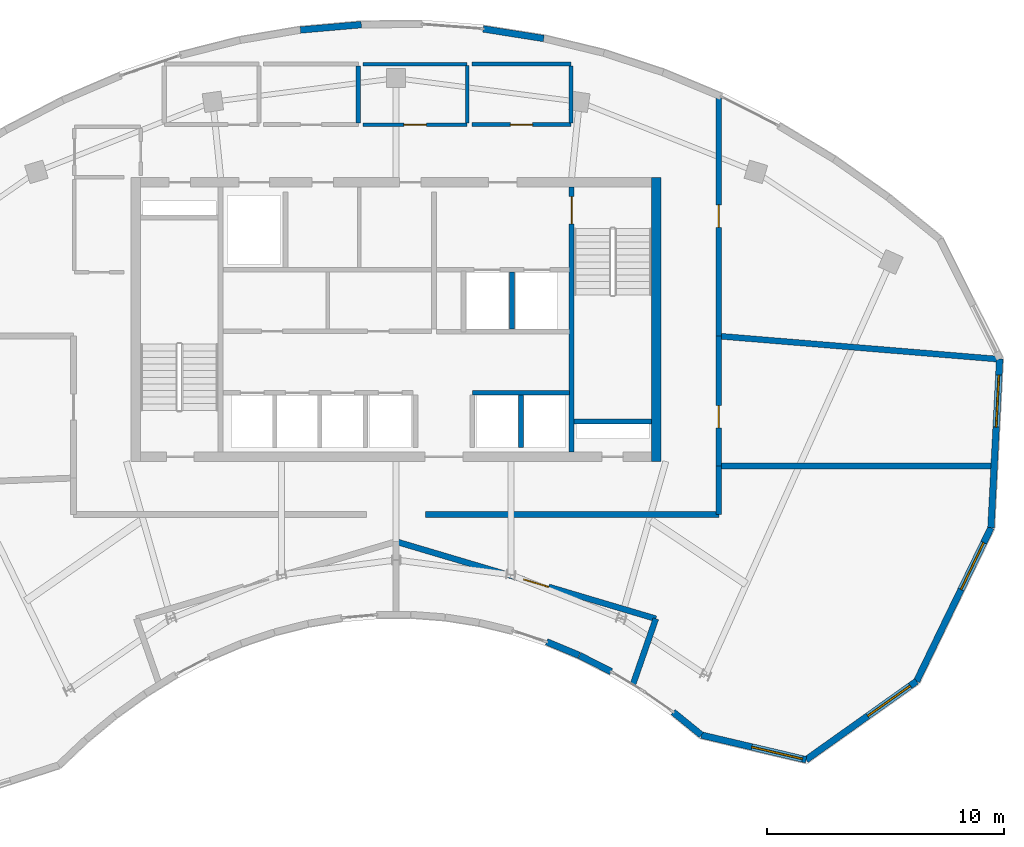
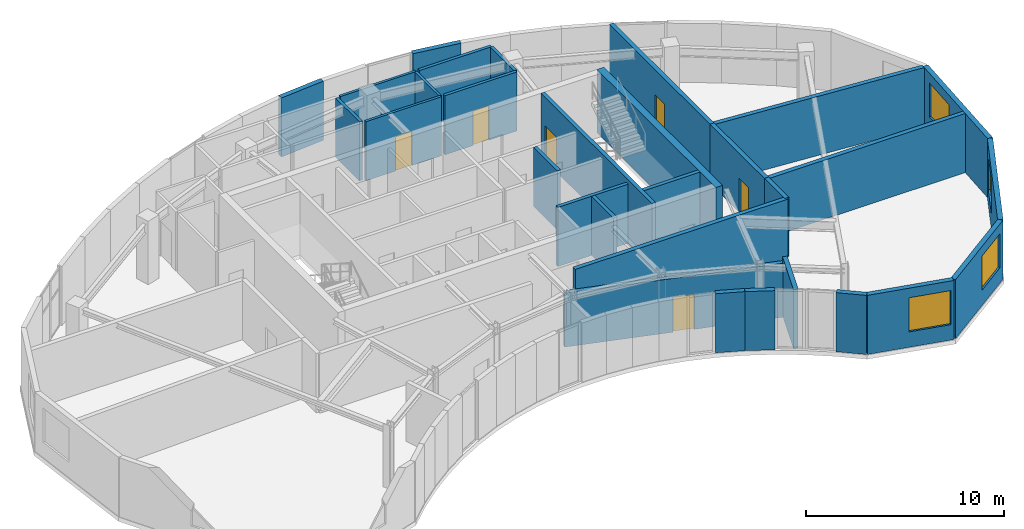
# One storey, part 7 of 9: 30 walls, 6 doors, 4 windows, 10 openings.
"""IFC4 building model written with IfcOpenShell, lengths in metres."""

from ifc_helpers import new_model, si_unit, direction, frame, frame_2d, origin, place, context, subcontext, project, spatial, rectangle, extrude, source, transform, mapped, material, layer, layer_set, type_object, type_shapes, element, fill, save


model = new_model("IFC4")

# Units and contexts
model_context = context("Model", 3, precision=1e-05, world=origin(), true_north=direction((0.0, 1.0)))
body_context = subcontext(model_context, "Body", "Model", "MODEL_VIEW")
ifc_project = project(units=[si_unit("LENGTHUNIT", "METRE"), si_unit("AREAUNIT", "SQUARE_METRE"), si_unit("VOLUMEUNIT", "CUBIC_METRE"), si_unit("PLANEANGLEUNIT", "RADIAN"), si_unit("MASSUNIT", "GRAM", prefix="KILO")], contexts=[model_context])

# Site, building, storey
site_placement = place(None, origin())
site = spatial("IfcSite", under=ifc_project, at=site_placement, CompositionType="ELEMENT")
building_placement = place(site_placement, origin())
building = spatial("IfcBuilding", under=site, at=building_placement, Name="Breltana Convention Tower", CompositionType="ELEMENT")
storey_placement = place(building_placement, frame((0.0, 0.0, 295.199951171875)))
storey = spatial("IfcBuildingStorey", under=building, at=storey_placement, Name="L72", CompositionType="ELEMENT", Elevation=295.199951171875)

# Walls
ifc_material_1 = material(Name="Concrete C50/60", Category="concrete")
ifc_layer_1 = layer(ifc_material_1, 0.39990234375, Name="Concrete C50/60")
ifc_layer_set_1 = layer_set([ifc_layer_1], Name="Concrete C50/60")
wall_type_1 = type_object("IfcWallType", Name="SW-CORE-400", PredefinedType="SHEAR", material=ifc_layer_set_1)
shared_shape_1 = source(origin(), body_context, "Body", "SweptSolid", [
    extrude(rectangle(XDim=3.27001953125, YDim=0.219970703125, at=frame_2d((1.635009765625, 0.0))), origin(), (0.0, 0.0, 1.0), 3.900146484375),
])
wall_1_placement = place(storey_placement, frame((55.530029296875, 61.889892578125, 0.0), z_axis=(0.0, 0.0, 1.0), x_axis=(1.0, 0.0, 0.0)))
element("IfcWall", 1, at=wall_1_placement, inside=storey, type_object=wall_type_1, Name="L72 ST-2 Stairwell South Bearing Wall", PredefinedType="SHEAR", context=body_context, shape_type="MappedRepresentation", body=[
    mapped(shared_shape_1, transform((0.0, 0.0, 0.0), scale=1.0)),
])
shared_shape_2 = source(origin(), body_context, "Body", "SweptSolid", [
    extrude(rectangle(XDim=12.0, YDim=0.39990234375, at=frame_2d((6.0, 0.0))), origin(), (0.0, 0.0, 1.0), 3.900146484375),
])
wall_2_placement = place(storey_placement, frame((59.0, 60.199951171875, 0.0), z_axis=(0.0, 0.0, 1.0), x_axis=(0.0, 1.0, 0.0)))
element("IfcWall", 2, at=wall_2_placement, inside=storey, type_object=wall_type_1, Name="L72 East Core Shear Wall", PredefinedType="SHEAR", context=body_context, shape_type="MappedRepresentation", body=[
    mapped(shared_shape_2, transform((0.0, 0.0, 0.0), scale=1.0)),
])

# Wall, opening, door
shared_shape_3 = source(origin(), body_context, "Body", "SweptSolid", [
    extrude(rectangle(XDim=11.199951171875, YDim=0.219970703125, at=frame_2d((5.60009765625, 0.0))), origin(), (0.0, 0.0, 1.0), 3.900146484375),
])
wall_3_placement = place(storey_placement, frame((55.419921875, 60.60009765625, 0.0), z_axis=(0.0, 0.0, 1.0), x_axis=(0.0, 1.0, 0.0)))
wall_3 = element("IfcWall", 3, at=wall_3_placement, inside=storey, type_object=wall_type_1, Name="L72 Core East Stair Spine Wall", PredefinedType="SHEAR", context=body_context, shape_type="MappedRepresentation", body=[
    mapped(shared_shape_3, transform((0.0, 0.0, 0.0), scale=1.0)),
])
opening_1_placement = place(wall_3_placement, frame((9.64501953125, 0.0, 0.0)))
opening_1 = element("IfcOpeningElement", 4, at=opening_1_placement, cuts=wall_3, Name="Opening D-11", PredefinedType="OPENING", context=body_context, shape_type="SweptSolid", body=[
    extrude(rectangle(XDim=1.14990234375, YDim=2.14990234375, at=frame_2d((0.574951171875, 1.074951171875))), frame((0.0, 0.1201171875, 0.0), z_axis=(0.0, -1.0, 0.0), x_axis=(1.0, 0.0, 0.0)), (0.0, 0.0, 1.0), 0.239990234375),
])
ifc_material_2 = material(Name="Steel Stair Exit Door", Category="steel")
door_type_1 = type_object("IfcDoorType", Name="DR-FD120-1150", OperationType="NOTDEFINED", PredefinedType="DOOR", material=ifc_material_2)
shared_shape_4 = source(origin(), body_context, "Body", "SweptSolid", [
    extrude(rectangle(XDim=1.14990234375, YDim=2.14990234375, at=frame_2d((0.574951171875, 1.074951171875))), frame((0.0, 0.02490234375, 0.0), z_axis=(0.0, -1.0, 0.0), x_axis=(1.0, 0.0, 0.0)), (0.0, 0.0, 1.0), 0.050048828125),
])
type_shapes(door_type_1, [shared_shape_4])
door_1_placement = place(opening_1_placement, origin())
door_1 = element("IfcDoor", 5, at=door_1_placement, inside=storey, type_object=door_type_1, Name="L72 interior door D-L72-ST2", OperationType="SINGLE_SWING_LEFT", OverallHeight=2.14990234375, OverallWidth=1.14990234375, PredefinedType="DOOR", context=body_context, shape_type="MappedRepresentation", body=[
    mapped(shared_shape_4, transform((0.0, 0.0, 0.0), scale=1.0)),
])
fill(opening_1, door_1)

# Wall, opening, window
ifc_material_3 = material(Name="Limestone Buff Insulated Wall", Category="masonry")
ifc_layer_2 = layer(ifc_material_3, 0.280029296875, Name="Limestone Buff Insulated Wall")
ifc_layer_set_2 = layer_set([ifc_layer_2], Name="Limestone Buff Insulated Wall")
wall_type_2 = type_object("IfcWallType", Name="WL-EXT-NOSE-280", PredefinedType="SOLIDWALL", material=ifc_layer_set_2)
shared_shape_5 = source(origin(), body_context, "Body", "SweptSolid", [
    extrude(rectangle(XDim=7.151123046875, YDim=0.280029296875, at=frame_2d((3.57568359375, 0.0))), origin(), (0.0, 0.0, 1.0), 3.64013671875),
])
wall_4_placement = place(storey_placement, frame((73.516357421875, 64.540283203125, 0.0), z_axis=(0.0, 0.0, 1.0), x_axis=(-0.051449614265, -0.998675591567, 0.0)))
wall_4 = element("IfcWall", 6, at=wall_4_placement, inside=storey, type_object=wall_type_2, Name="L72 curved limestone nose wall E2", PredefinedType="SOLIDWALL", context=body_context, shape_type="MappedRepresentation", body=[
    mapped(shared_shape_5, transform((0.0, 0.0, 0.0), scale=1.0)),
])
opening_2_placement = place(wall_4_placement, frame((0.687744140625, 0.0, 0.949951171875)))
opening_2 = element("IfcOpeningElement", 7, at=opening_2_placement, cuts=wall_4, Name="Opening W-03", PredefinedType="OPENING", context=body_context, shape_type="SweptSolid", body=[
    extrude(rectangle(XDim=2.199951171875, YDim=2.10009765625, at=frame_2d((1.10009765625, 1.050048828125))), frame((0.0, 0.14990234375, 0.0), z_axis=(0.0, -1.0, 0.0), x_axis=(1.0, 0.0, 0.0)), (0.0, 0.0, 1.0), 0.300048828125),
])
ifc_material_4 = material(Name="Glass Low-E Insulated Window", Category="glass")
window_type = type_object("IfcWindowType", Name="WN-NOSE-2200X2100", PartitioningType="TRIPLE_PANEL_VERTICAL", PredefinedType="WINDOW", material=ifc_material_4)
shared_shape_6 = source(origin(), body_context, "Body", "SweptSolid", [
    extrude(rectangle(XDim=2.199951171875, YDim=2.10009765625, at=frame_2d((1.10009765625, 1.050048828125))), frame((0.0, 0.030029296875, 0.0), z_axis=(0.0, -1.0, 0.0), x_axis=(1.0, 0.0, 0.0)), (0.0, 0.0, 1.0), 0.06005859375),
])
type_shapes(window_type, [shared_shape_6])
window_1_placement = place(opening_2_placement, origin())
window_1 = element("IfcWindow", 8, at=window_1_placement, inside=storey, type_object=window_type, Name="L72 nose window E2", OverallHeight=2.10009765625, OverallWidth=2.199951171875, PartitioningType="TRIPLE_PANEL_VERTICAL", PredefinedType="WINDOW", context=body_context, shape_type="MappedRepresentation", body=[
    mapped(shared_shape_6, transform((0.0, 0.0, 0.0), scale=1.0)),
])
fill(opening_2, window_1)

shared_shape_7 = source(origin(), body_context, "Body", "SweptSolid", [
    extrude(rectangle(XDim=7.21142578125, YDim=0.280029296875, at=frame_2d((3.605712890625, 0.0))), origin(), (0.0, 0.0, 1.0), 3.64013671875),
])
wall_5_placement = place(storey_placement, frame((73.1484375, 57.398681640625, 0.0), z_axis=(0.0, 0.0, 1.0), x_axis=(-0.436088263006, -0.899903898685, 0.0)))
wall_5 = element("IfcWall", 9, at=wall_5_placement, inside=storey, type_object=wall_type_2, Name="L72 curved limestone nose wall E3", PredefinedType="SOLIDWALL", context=body_context, shape_type="MappedRepresentation", body=[
    mapped(shared_shape_7, transform((0.0, 0.0, 0.0), scale=1.0)),
])
opening_3_placement = place(wall_5_placement, frame((0.702880859375, 0.0, 0.949951171875)))
opening_3 = element("IfcOpeningElement", 10, at=opening_3_placement, cuts=wall_5, Name="Opening W-03", PredefinedType="OPENING", context=body_context, shape_type="SweptSolid", body=[
    extrude(rectangle(XDim=2.199951171875, YDim=2.10009765625, at=frame_2d((1.10009765625, 1.050048828125))), frame((0.0, 0.14990234375, 0.0), z_axis=(0.0, -1.0, 0.0), x_axis=(1.0, 0.0, 0.0)), (0.0, 0.0, 1.0), 0.300048828125),
])
window_2_placement = place(opening_3_placement, origin())
window_2 = element("IfcWindow", 11, at=window_2_placement, inside=storey, type_object=window_type, Name="L72 nose window E3", OverallHeight=2.10009765625, OverallWidth=2.199951171875, PartitioningType="TRIPLE_PANEL_VERTICAL", PredefinedType="WINDOW", context=body_context, shape_type="MappedRepresentation", body=[
    mapped(shared_shape_6, transform((0.0, 0.0, 0.0), scale=1.0)),
])
fill(opening_3, window_2)

shared_shape_8 = source(origin(), body_context, "Body", "SweptSolid", [
    extrude(rectangle(XDim=5.730712890625, YDim=0.280029296875, at=frame_2d((2.865234375, 0.0))), origin(), (0.0, 0.0, 1.0), 3.64013671875),
])
wall_6_placement = place(storey_placement, frame((70.003662109375, 50.9091796875, 0.0), z_axis=(0.0, 0.0, 1.0), x_axis=(-0.815021045908, -0.579431354629, 0.0)))
wall_6 = element("IfcWall", 12, at=wall_6_placement, inside=storey, type_object=wall_type_2, Name="L72 curved limestone nose wall E4", PredefinedType="SOLIDWALL", context=body_context, shape_type="MappedRepresentation", body=[
    mapped(shared_shape_8, transform((0.0, 0.0, 0.0), scale=1.0)),
])
opening_4_placement = place(wall_6_placement, frame((0.332763671875, 0.0, 0.949951171875)))
opening_4 = element("IfcOpeningElement", 13, at=opening_4_placement, cuts=wall_6, Name="Opening W-03", PredefinedType="OPENING", context=body_context, shape_type="SweptSolid", body=[
    extrude(rectangle(XDim=2.199951171875, YDim=2.10009765625, at=frame_2d((1.10009765625, 1.050048828125))), frame((0.0, 0.14990234375, 0.0), z_axis=(0.0, -1.0, 0.0), x_axis=(1.0, 0.0, 0.0)), (0.0, 0.0, 1.0), 0.300048828125),
])
window_3_placement = place(opening_4_placement, origin())
window_3 = element("IfcWindow", 14, at=window_3_placement, inside=storey, type_object=window_type, Name="L72 nose window E4", OverallHeight=2.10009765625, OverallWidth=2.199951171875, PartitioningType="TRIPLE_PANEL_VERTICAL", PredefinedType="WINDOW", context=body_context, shape_type="MappedRepresentation", body=[
    mapped(shared_shape_6, transform((0.0, 0.0, 0.0), scale=1.0)),
])
fill(opening_4, window_3)

shared_shape_9 = source(origin(), body_context, "Body", "SweptSolid", [
    extrude(rectangle(XDim=4.546630859375, YDim=0.280029296875, at=frame_2d((2.2734375, 0.0))), origin(), (0.0, 0.0, 1.0), 3.64013671875),
])
wall_7_placement = place(storey_placement, frame((65.3330078125, 47.588623046875, 0.0), z_axis=(0.0, 0.0, 1.0), x_axis=(-0.973332593516, 0.229398479505, 0.0)))
wall_7 = element("IfcWall", 15, at=wall_7_placement, inside=storey, type_object=wall_type_2, Name="L72 curved limestone nose wall E5", PredefinedType="SOLIDWALL", context=body_context, shape_type="MappedRepresentation", body=[
    mapped(shared_shape_9, transform((0.0, 0.0, 0.0), scale=1.0)),
])
opening_5_placement = place(wall_7_placement, frame((0.159912109375, 0.0, 0.949951171875)))
opening_5 = element("IfcOpeningElement", 16, at=opening_5_placement, cuts=wall_7, Name="Opening W-03", PredefinedType="OPENING", context=body_context, shape_type="SweptSolid", body=[
    extrude(rectangle(XDim=2.199951171875, YDim=2.10009765625, at=frame_2d((1.10009765625, 1.050048828125))), frame((0.0, 0.14990234375, 0.0), z_axis=(0.0, -1.0, 0.0), x_axis=(1.0, 0.0, 0.0)), (0.0, 0.0, 1.0), 0.300048828125),
])
window_4_placement = place(opening_5_placement, origin())
window_4 = element("IfcWindow", 17, at=window_4_placement, inside=storey, type_object=window_type, Name="L72 nose window E5", OverallHeight=2.10009765625, OverallWidth=2.199951171875, PartitioningType="TRIPLE_PANEL_VERTICAL", PredefinedType="WINDOW", context=body_context, shape_type="MappedRepresentation", body=[
    mapped(shared_shape_6, transform((0.0, 0.0, 0.0), scale=1.0)),
])
fill(opening_5, window_4)

# Walls
shared_shape_10 = source(origin(), body_context, "Body", "SweptSolid", [
    extrude(rectangle(XDim=1.54345703125, YDim=0.280029296875, at=frame_2d((0.771728515625, 0.0))), origin(), (0.0, 0.0, 1.0), 3.64013671875),
])
wall_8_placement = place(storey_placement, frame((60.90771484375, 48.631591796875, 0.0), z_axis=(0.0, 0.0, 1.0), x_axis=(-0.77582846857, 0.63094388606, 0.0)))
element("IfcWall", 18, at=wall_8_placement, inside=storey, type_object=wall_type_2, Name="L72 curved limestone nose wall E6", PredefinedType="SOLIDWALL", context=body_context, shape_type="MappedRepresentation", body=[
    mapped(shared_shape_10, transform((0.0, 0.0, 0.0), scale=1.0)),
])
shared_shape_11 = source(origin(), body_context, "Body", "SweptSolid", [
    extrude(rectangle(XDim=1.508544921875, YDim=0.280029296875, at=frame_2d((0.75439453125, 0.0))), origin(), (0.0, 0.0, 1.0), 3.64013671875),
])
wall_9_placement = place(storey_placement, frame((57.09375, 51.3154296875, 0.0), z_axis=(0.0, 0.0, 1.0), x_axis=(-0.89169189228, 0.452642871635, 0.0)))
element("IfcWall", 19, at=wall_9_placement, inside=storey, type_object=wall_type_2, Name="L72 curved limestone nose wall E7", PredefinedType="SOLIDWALL", context=body_context, shape_type="MappedRepresentation", body=[
    mapped(shared_shape_11, transform((0.0, 0.0, 0.0), scale=1.0)),
])
shared_shape_12 = source(origin(), body_context, "Body", "SweptSolid", [
    extrude(rectangle(XDim=1.48779296875, YDim=0.280029296875, at=frame_2d((0.743896484375, 0.0))), origin(), (0.0, 0.0, 1.0), 3.64013671875),
])
wall_10_placement = place(storey_placement, frame((55.736328125, 52.00390625, 0.0), z_axis=(0.0, 0.0, 1.0), x_axis=(-0.923261314935, 0.384172545017, 0.0)))
element("IfcWall", 20, at=wall_10_placement, inside=storey, type_object=wall_type_2, Name="L72 curved limestone nose wall E8", PredefinedType="SOLIDWALL", context=body_context, shape_type="MappedRepresentation", body=[
    mapped(shared_shape_12, transform((0.0, 0.0, 0.0), scale=1.0)),
])
shared_shape_13 = source(origin(), body_context, "Body", "SweptSolid", [
    extrude(rectangle(XDim=2.58251953125, YDim=0.280029296875, at=frame_2d((1.291259765625, 0.0))), origin(), (0.0, 0.0, 1.0), 3.64013671875),
])
wall_11_placement = place(storey_placement, frame((43.954345703125, 78.4423828125, 0.0), z_axis=(0.0, 0.0, 1.0), x_axis=(0.996168946569, 0.087449584851, 0.0)))
element("IfcWall", 21, at=wall_11_placement, inside=storey, type_object=wall_type_2, Name="L72 curved limestone nose wall E26", PredefinedType="SOLIDWALL", context=body_context, shape_type="MappedRepresentation", body=[
    mapped(shared_shape_13, transform((0.0, 0.0, 0.0), scale=1.0)),
])
shared_shape_14 = source(origin(), body_context, "Body", "SweptSolid", [
    extrude(rectangle(XDim=2.592529296875, YDim=0.280029296875, at=frame_2d((1.29638671875, 0.0))), origin(), (0.0, 0.0, 1.0), 3.64013671875),
])
wall_12_placement = place(storey_placement, frame((51.6787109375, 78.487548828125, 0.0), z_axis=(0.0, 0.0, 1.0), x_axis=(0.987661204406, -0.156605700126, 0.0)))
element("IfcWall", 22, at=wall_12_placement, inside=storey, type_object=wall_type_2, Name="L72 curved limestone nose wall E28", PredefinedType="SOLIDWALL", context=body_context, shape_type="MappedRepresentation", body=[
    mapped(shared_shape_14, transform((0.0, 0.0, 0.0), scale=1.0)),
])
ifc_material_5 = material(Name="Autoclaved Aerated Concrete Block", Category="concrete")
ifc_layer_3 = layer(ifc_material_5, 0.199951171875, Name="Autoclaved Aerated Concrete Block")
ifc_layer_set_3 = layer_set([ifc_layer_3], Name="Autoclaved Aerated Concrete Block")
wall_type_3 = type_object("IfcWallType", Name="WL-SHAFT-200", PredefinedType="SOLIDWALL", material=ifc_layer_set_3)
shared_shape_15 = source(origin(), body_context, "Body", "SweptSolid", [
    extrude(rectangle(XDim=2.39990234375, YDim=0.199951171875, at=frame_2d((1.199951171875, 0.0))), origin(), (0.0, 0.0, 1.0), 3.64013671875),
])
wall_13_placement = place(storey_placement, frame((52.89990234375, 65.800048828125, 0.0), z_axis=(0.0, 0.0, 1.0), x_axis=(0.0, 1.0, 0.0)))
element("IfcWall", 23, at=wall_13_placement, inside=storey, type_object=wall_type_3, Name="L72 interior partition W-L72-FL-DIV", PredefinedType="SOLIDWALL", context=body_context, shape_type="MappedRepresentation", body=[
    mapped(shared_shape_15, transform((0.0, 0.0, 0.0), scale=1.0)),
])
shared_shape_16 = source(origin(), body_context, "Body", "SweptSolid", [
    extrude(rectangle(XDim=4.10009765625, YDim=0.199951171875, at=frame_2d((2.050048828125, 0.0))), origin(), (0.0, 0.0, 1.0), 3.64013671875),
])
wall_14_placement = place(storey_placement, frame((51.219970703125, 63.10009765625, 0.0), z_axis=(0.0, 0.0, 1.0), x_axis=(1.0, 0.0, 0.0)))
element("IfcWall", 24, at=wall_14_placement, inside=storey, type_object=wall_type_3, Name="L72 interior partition W-L72-SH-X-FRONT", PredefinedType="SOLIDWALL", context=body_context, shape_type="MappedRepresentation", body=[
    mapped(shared_shape_16, transform((0.0, 0.0, 0.0), scale=1.0)),
])
shared_shape_17 = source(origin(), body_context, "Body", "SweptSolid", [
    extrude(rectangle(XDim=2.199951171875, YDim=0.199951171875, at=frame_2d((1.10009765625, 0.0))), origin(), (0.0, 0.0, 1.0), 3.64013671875),
])
wall_15_placement = place(storey_placement, frame((53.280029296875, 60.800048828125, 0.0), z_axis=(0.0, 0.0, 1.0), x_axis=(0.0, 1.0, 0.0)))
element("IfcWall", 25, at=wall_15_placement, inside=storey, type_object=wall_type_3, Name="L72 interior partition W-L72-SH-X-DIV", PredefinedType="SOLIDWALL", context=body_context, shape_type="MappedRepresentation", body=[
    mapped(shared_shape_17, transform((0.0, 0.0, 0.0), scale=1.0)),
])
ifc_material_6 = material(Name="Cement Board Wet-Area Partition")
ifc_layer_4 = layer(ifc_material_6, 0.175048828125, Name="Cement Board Wet-Area Partition")
ifc_layer_set_4 = layer_set([ifc_layer_4], Name="Cement Board Wet-Area Partition")
wall_type_4 = type_object("IfcWallType", Name="WL-WET-175", PredefinedType="PARTITIONING", material=ifc_layer_set_4)
shared_shape_18 = source(origin(), body_context, "Body", "SweptSolid", [
    extrude(rectangle(XDim=2.402587890625, YDim=0.175048828125, at=frame_2d((1.201171875, 0.0))), origin(), (0.0, 0.0, 1.0), 3.64013671875),
])
for number, where, z_axis, x_axis, name in (
    (26, (46.39990234375, 74.518798828125, 0.0), (0.0, 0.0, 1.0), (0.0, 1.0, 0.0), "L72 interior partition W-L72-WCF-E"),
    (27, (55.39990234375, 74.518798828125, 0.0), (0.0, 0.0, 1.0), (0.0, 1.0, 0.0), "L72 interior partition W-L72-WCA-E"),
):
    element("IfcWall", number, at=place(storey_placement, frame(where, z_axis=z_axis, x_axis=x_axis)), inside=storey, type_object=wall_type_4, Name=name, PredefinedType="PARTITIONING", context=body_context, shape_type="MappedRepresentation", body=[
        mapped(shared_shape_18, transform((0.0, 0.0, 0.0), scale=1.0)),
    ])

# Wall, opening, door
ifc_material_7 = material(Name="Gypsum Acoustic Drywall Partition")
ifc_layer_5 = layer(ifc_material_7, 0.14990234375, Name="Gypsum Acoustic Drywall Partition")
ifc_layer_set_5 = layer_set([ifc_layer_5], Name="Gypsum Acoustic Drywall Partition")
wall_type_5 = type_object("IfcWallType", Name="WL-PART-150", PredefinedType="PARTITIONING", material=ifc_layer_set_5)
shared_shape_19 = source(origin(), body_context, "Body", "SweptSolid", [
    extrude(rectangle(XDim=4.39990234375, YDim=0.14990234375, at=frame_2d((2.199951171875, 0.0))), origin(), (0.0, 0.0, 1.0), 3.64013671875),
])
wall_16_placement = place(storey_placement, frame((46.60009765625, 74.43994140625, 0.0), z_axis=(0.0, 0.0, 1.0), x_axis=(1.0, 0.0, 0.0)))
wall_16 = element("IfcWall", 28, at=wall_16_placement, inside=storey, type_object=wall_type_5, Name="L72 interior partition W-L72-PNT-S", PredefinedType="PARTITIONING", context=body_context, shape_type="MappedRepresentation", body=[
    mapped(shared_shape_19, transform((0.0, 0.0, 0.0), scale=1.0)),
])
opening_6_placement = place(wall_16_placement, frame((1.72509765625, 0.0, 0.0)))
opening_6 = element("IfcOpeningElement", 29, at=opening_6_placement, cuts=wall_16, Name="Opening D-17", PredefinedType="OPENING", context=body_context, shape_type="SweptSolid", body=[
    extrude(rectangle(XDim=0.949951171875, YDim=2.10009765625, at=frame_2d((0.47509765625, 1.050048828125))), frame((0.0, 0.0849609375, 0.0), z_axis=(0.0, -1.0, 0.0), x_axis=(1.0, 0.0, 0.0)), (0.0, 0.0, 1.0), 0.169921875),
])
ifc_material_8 = material(Name="Timber Oak Veneer Door", Category="wood")
door_type_2 = type_object("IfcDoorType", Name="DR-INT-950", OperationType="NOTDEFINED", PredefinedType="DOOR", material=ifc_material_8)
shared_shape_20 = source(origin(), body_context, "Body", "SweptSolid", [
    extrude(rectangle(XDim=0.949951171875, YDim=2.10009765625, at=frame_2d((0.47509765625, 1.050048828125))), frame((0.0, 0.02490234375, 0.0), z_axis=(0.0, -1.0, 0.0), x_axis=(1.0, 0.0, 0.0)), (0.0, 0.0, 1.0), 0.050048828125),
])
type_shapes(door_type_2, [shared_shape_20])
door_2_placement = place(opening_6_placement, origin())
door_2 = element("IfcDoor", 30, at=door_2_placement, inside=storey, type_object=door_type_2, Name="L72 interior door D-L72-PNT", OperationType="SINGLE_SWING_RIGHT", OverallHeight=2.10009765625, OverallWidth=0.949951171875, PredefinedType="DOOR", context=body_context, shape_type="MappedRepresentation", body=[
    mapped(shared_shape_20, transform((0.0, 0.0, 0.0), scale=1.0)),
])
fill(opening_6, door_2)

# Walls
wall_17_placement = place(storey_placement, frame((46.60009765625, 77.0, 0.0), z_axis=(0.0, 0.0, 1.0), x_axis=(1.0, 0.0, 0.0)))
element("IfcWall", 31, at=wall_17_placement, inside=storey, type_object=wall_type_5, Name="L72 interior partition W-L72-PNT-N", PredefinedType="PARTITIONING", context=body_context, shape_type="MappedRepresentation", body=[
    mapped(shared_shape_19, transform((0.0, 0.0, 0.0), scale=1.0)),
])
shared_shape_21 = source(origin(), body_context, "Body", "SweptSolid", [
    extrude(rectangle(XDim=2.425048828125, YDim=0.14990234375, at=frame_2d((1.21240234375, 0.0))), origin(), (0.0, 0.0, 1.0), 3.64013671875),
])
wall_18_placement = place(storey_placement, frame((51.0, 74.507568359375, 0.0), z_axis=(0.0, 0.0, 1.0), x_axis=(0.0, 1.0, 0.0)))
element("IfcWall", 32, at=wall_18_placement, inside=storey, type_object=wall_type_5, Name="L72 interior partition W-L72-PNT-E", PredefinedType="PARTITIONING", context=body_context, shape_type="MappedRepresentation", body=[
    mapped(shared_shape_21, transform((0.0, 0.0, 0.0), scale=1.0)),
])

# Wall, opening, door
shared_shape_22 = source(origin(), body_context, "Body", "SweptSolid", [
    extrude(rectangle(XDim=4.199951171875, YDim=0.175048828125, at=frame_2d((2.10009765625, 0.0))), origin(), (0.0, 0.0, 1.0), 3.64013671875),
])
wall_19_placement = place(storey_placement, frame((51.199951171875, 74.43994140625, 0.0), z_axis=(0.0, 0.0, 1.0), x_axis=(1.0, 0.0, 0.0)))
wall_19 = element("IfcWall", 33, at=wall_19_placement, inside=storey, type_object=wall_type_4, Name="L72 interior partition W-L72-WCA-S", PredefinedType="PARTITIONING", context=body_context, shape_type="MappedRepresentation", body=[
    mapped(shared_shape_22, transform((0.0, 0.0, 0.0), scale=1.0)),
])
opening_7_placement = place(wall_19_placement, frame((1.625, 0.0, 0.0)))
opening_7 = element("IfcOpeningElement", 34, at=opening_7_placement, cuts=wall_19, Name="Opening D-16", PredefinedType="OPENING", context=body_context, shape_type="SweptSolid", body=[
    extrude(rectangle(XDim=0.949951171875, YDim=2.1201171875, at=frame_2d((0.47509765625, 1.06005859375))), frame((0.0, 0.09765625, 0.0), z_axis=(0.0, -1.0, 0.0), x_axis=(1.0, 0.0, 0.0)), (0.0, 0.0, 1.0), 0.195068359375),
])
ifc_material_9 = material(Name="Timber Laminate Accessible Door", Category="wood")
door_type_3 = type_object("IfcDoorType", Name="DR-ACC-950", OperationType="NOTDEFINED", PredefinedType="DOOR", material=ifc_material_9)
shared_shape_23 = source(origin(), body_context, "Body", "SweptSolid", [
    extrude(rectangle(XDim=0.949951171875, YDim=2.1201171875, at=frame_2d((0.47509765625, 1.06005859375))), frame((0.0, 0.02490234375, 0.0), z_axis=(0.0, -1.0, 0.0), x_axis=(1.0, 0.0, 0.0)), (0.0, 0.0, 1.0), 0.050048828125),
])
type_shapes(door_type_3, [shared_shape_23])
door_3_placement = place(opening_7_placement, origin())
door_3 = element("IfcDoor", 35, at=door_3_placement, inside=storey, type_object=door_type_3, Name="L72 interior door D-L72-WCA", OperationType="SINGLE_SWING_LEFT", OverallHeight=2.1201171875, OverallWidth=0.949951171875, PredefinedType="DOOR", context=body_context, shape_type="MappedRepresentation", body=[
    mapped(shared_shape_23, transform((0.0, 0.0, 0.0), scale=1.0)),
])
fill(opening_7, door_3)

# Wall
ifc_material_10 = material(Name="Moisture-Resistant Gypsum Chase Wall")
ifc_layer_6 = layer(ifc_material_10, 0.179931640625, Name="Moisture-Resistant Gypsum Chase Wall")
ifc_layer_set_6 = layer_set([ifc_layer_6], Name="Moisture-Resistant Gypsum Chase Wall")
wall_type_6 = type_object("IfcWallType", Name="WL-PLUMB-180", PredefinedType="PLUMBINGWALL", material=ifc_layer_set_6)
shared_shape_24 = source(origin(), body_context, "Body", "SweptSolid", [
    extrude(rectangle(XDim=4.199951171875, YDim=0.179931640625, at=frame_2d((2.10009765625, 0.0))), origin(), (0.0, 0.0, 1.0), 3.64013671875),
])
wall_20_placement = place(storey_placement, frame((51.199951171875, 77.0, 0.0), z_axis=(0.0, 0.0, 1.0), x_axis=(1.0, 0.0, 0.0)))
element("IfcWall", 36, at=wall_20_placement, inside=storey, type_object=wall_type_6, Name="L72 interior partition W-L72-WCA-N", PredefinedType="PLUMBINGWALL", context=body_context, shape_type="MappedRepresentation", body=[
    mapped(shared_shape_24, transform((0.0, 0.0, 0.0), scale=1.0)),
])

# Wall, opening, door
ifc_material_11 = material(Name="Gypsum Acoustic Double Stud Wall")
ifc_layer_7 = layer(ifc_material_11, 0.25, Name="Gypsum Acoustic Double Stud Wall")
ifc_layer_set_7 = layer_set([ifc_layer_7], Name="Gypsum Acoustic Double Stud Wall")
wall_type_7 = type_object("IfcWallType", Name="WL-ACOUSTIC-250", PredefinedType="PARTITIONING", material=ifc_layer_set_7)
shared_shape_25 = source(origin(), body_context, "Body", "SweptSolid", [
    extrude(rectangle(XDim=11.453857421875, YDim=0.25, at=frame_2d((5.72705078125, 0.0))), origin(), (0.0, 0.0, 1.0), 3.31396484375),
])
wall_21_placement = place(storey_placement, frame((48.0, 56.813232421875, 0.0), z_axis=(0.0, 0.0, 1.0), x_axis=(0.958594874645, -0.284773359541, 0.0)))
wall_21 = element("IfcWall", 37, at=wall_21_placement, inside=storey, type_object=wall_type_7, Name="L72 interior partition W-L72-ES2-COR", PredefinedType="PARTITIONING", context=body_context, shape_type="MappedRepresentation", body=[
    mapped(shared_shape_25, transform((0.0, 0.0, 0.0), scale=1.0)),
])
opening_8_placement = place(wall_21_placement, frame((5.626953125, 0.0, 0.0)))
opening_8 = element("IfcOpeningElement", 38, at=opening_8_placement, cuts=wall_21, Name="Opening D-12", PredefinedType="OPENING", context=body_context, shape_type="SweptSolid", body=[
    extrude(rectangle(XDim=1.10009765625, YDim=2.14990234375, at=frame_2d((0.550048828125, 1.074951171875))), frame((0.0, 0.135009765625, 0.0), z_axis=(0.0, -1.0, 0.0), x_axis=(1.0, 0.0, 0.0)), (0.0, 0.0, 1.0), 0.27001953125),
])
ifc_material_12 = material(Name="Timber Oak Acoustic Door", Category="wood")
door_type_4 = type_object("IfcDoorType", Name="DR-INT-1100", OperationType="NOTDEFINED", PredefinedType="DOOR", material=ifc_material_12)
shared_shape_26 = source(origin(), body_context, "Body", "SweptSolid", [
    extrude(rectangle(XDim=1.10009765625, YDim=2.14990234375, at=frame_2d((0.550048828125, 1.074951171875))), frame((0.0, 0.02490234375, 0.0), z_axis=(0.0, -1.0, 0.0), x_axis=(1.0, 0.0, 0.0)), (0.0, 0.0, 1.0), 0.050048828125),
])
type_shapes(door_type_4, [shared_shape_26])
door_4_placement = place(opening_8_placement, origin())
door_4 = element("IfcDoor", 39, at=door_4_placement, inside=storey, type_object=door_type_4, Name="L72 interior door D-L72-ES2", OperationType="SINGLE_SWING_LEFT", OverallHeight=2.14990234375, OverallWidth=1.10009765625, PredefinedType="DOOR", context=body_context, shape_type="MappedRepresentation", body=[
    mapped(shared_shape_26, transform((0.0, 0.0, 0.0), scale=1.0)),
])
fill(opening_8, door_4)

# Walls
shared_shape_27 = source(origin(), body_context, "Body", "SweptSolid", [
    extrude(rectangle(XDim=2.94189453125, YDim=0.25, at=frame_2d((1.470947265625, 0.0))), origin(), (0.0, 0.0, 1.0), 3.64013671875),
])
wall_22_placement = place(storey_placement, frame((58.0126953125, 50.77294921875, 0.0), z_axis=(0.0, 0.0, 1.0), x_axis=(0.328623620494, 0.944460965871, 0.0)))
element("IfcWall", 40, at=wall_22_placement, inside=storey, type_object=wall_type_7, Name="L72 interior partition W-L72-ES2-RB", PredefinedType="PARTITIONING", context=body_context, shape_type="MappedRepresentation", body=[
    mapped(shared_shape_27, transform((0.0, 0.0, 0.0), scale=1.0)),
])
shared_shape_28 = source(origin(), body_context, "Body", "SweptSolid", [
    extrude(rectangle(XDim=12.389892578125, YDim=0.25, at=frame_2d((6.19482421875, 0.0))), origin(), (0.0, 0.0, 1.0), 3.64013671875),
])
wall_23_placement = place(storey_placement, frame((49.25, 57.9599609375, 0.0), z_axis=(0.0, 0.0, 1.0), x_axis=(1.0, 0.0, 0.0)))
element("IfcWall", 41, at=wall_23_placement, inside=storey, type_object=wall_type_7, Name="L72 interior partition W-L72-Z45-CSE", PredefinedType="PARTITIONING", context=body_context, shape_type="MappedRepresentation", body=[
    mapped(shared_shape_28, transform((0.0, 0.0, 0.0), scale=1.0)),
])
shared_shape_29 = source(origin(), body_context, "Body", "SweptSolid", [
    extrude(rectangle(XDim=11.632568359375, YDim=0.25, at=frame_2d((5.81640625, 0.0))), origin(), (0.0, 0.0, 1.0), 3.64013671875),
])
wall_24_placement = place(storey_placement, frame((61.639892578125, 60.0, 0.0), z_axis=(0.0, 0.0, 1.0), x_axis=(1.0, 0.0, 0.0)))
element("IfcWall", 42, at=wall_24_placement, inside=storey, type_object=wall_type_7, Name="L72 interior partition W-L72-EXE1-N", PredefinedType="PARTITIONING", context=body_context, shape_type="MappedRepresentation", body=[
    mapped(shared_shape_29, transform((0.0, 0.0, 0.0), scale=1.0)),
])
shared_shape_30 = source(origin(), body_context, "Body", "SweptSolid", [
    extrude(rectangle(XDim=2.0400390625, YDim=0.25, at=frame_2d((1.02001953125, 0.0))), origin(), (0.0, 0.0, 1.0), 3.64013671875),
])
wall_25_placement = place(storey_placement, frame((61.639892578125, 57.9599609375, 0.0), z_axis=(0.0, 0.0, 1.0), x_axis=(0.0, 1.0, 0.0)))
element("IfcWall", 43, at=wall_25_placement, inside=storey, type_object=wall_type_7, Name="L72 interior partition W-L72-EXE1-ENT", PredefinedType="PARTITIONING", context=body_context, shape_type="MappedRepresentation", body=[
    mapped(shared_shape_30, transform((0.0, 0.0, 0.0), scale=1.0)),
])
shared_shape_31 = source(origin(), body_context, "Body", "SweptSolid", [
    extrude(rectangle(XDim=11.78662109375, YDim=0.25, at=frame_2d((5.893310546875, 0.0))), origin(), (0.0, 0.0, 1.0), 3.64013671875),
])
wall_26_placement = place(storey_placement, frame((61.639892578125, 65.5, 0.0), z_axis=(0.0, 0.0, 1.0), x_axis=(0.996614976318, -0.082210637868, 0.0)))
element("IfcWall", 44, at=wall_26_placement, inside=storey, type_object=wall_type_7, Name="L72 interior partition W-L72-EXE2-N", PredefinedType="PARTITIONING", context=body_context, shape_type="MappedRepresentation", body=[
    mapped(shared_shape_31, transform((0.0, 0.0, 0.0), scale=1.0)),
])

# Wall, opening, door
shared_shape_32 = source(origin(), body_context, "Body", "SweptSolid", [
    extrude(rectangle(XDim=5.5, YDim=0.25, at=frame_2d((2.75, 0.0))), origin(), (0.0, 0.0, 1.0), 3.64013671875),
])
wall_27_placement = place(storey_placement, frame((61.639892578125, 60.0, 0.0), z_axis=(0.0, 0.0, 1.0), x_axis=(0.0, 1.0, 0.0)))
wall_27 = element("IfcWall", 45, at=wall_27_placement, inside=storey, type_object=wall_type_7, Name="L72 interior partition W-L72-EXE2-ENT", PredefinedType="PARTITIONING", context=body_context, shape_type="MappedRepresentation", body=[
    mapped(shared_shape_32, transform((0.0, 0.0, 0.0), scale=1.0)),
])
opening_9_placement = place(wall_27_placement, frame((1.614990234375, 0.0, 0.0)))
opening_9 = element("IfcOpeningElement", 46, at=opening_9_placement, cuts=wall_27, Name="Opening D-17", PredefinedType="OPENING", context=body_context, shape_type="SweptSolid", body=[
    extrude(rectangle(XDim=0.949951171875, YDim=2.10009765625, at=frame_2d((0.47509765625, 1.050048828125))), frame((0.0, 0.135009765625, 0.0), z_axis=(0.0, -1.0, 0.0), x_axis=(1.0, 0.0, 0.0)), (0.0, 0.0, 1.0), 0.27001953125),
])
door_5_placement = place(opening_9_placement, origin())
door_5 = element("IfcDoor", 47, at=door_5_placement, inside=storey, type_object=door_type_2, Name="L72 interior door D-L72-EXE2", OperationType="SINGLE_SWING_RIGHT", OverallHeight=2.10009765625, OverallWidth=0.949951171875, PredefinedType="DOOR", context=body_context, shape_type="MappedRepresentation", body=[
    mapped(shared_shape_20, transform((0.0, 0.0, 0.0), scale=1.0)),
])
fill(opening_9, door_5)

shared_shape_33 = source(origin(), body_context, "Body", "SweptSolid", [
    extrude(rectangle(XDim=10.1533203125, YDim=0.25, at=frame_2d((5.07666015625, 0.0))), origin(), (0.0, 0.0, 1.0), 3.64013671875),
])
wall_28_placement = place(storey_placement, frame((61.639892578125, 65.5, 0.0), z_axis=(0.0, 0.0, 1.0), x_axis=(0.0, 1.0, 0.0)))
wall_28 = element("IfcWall", 48, at=wall_28_placement, inside=storey, type_object=wall_type_7, Name="L72 interior partition W-L72-EXE3-ENT", PredefinedType="PARTITIONING", context=body_context, shape_type="MappedRepresentation", body=[
    mapped(shared_shape_33, transform((0.0, 0.0, 0.0), scale=1.0)),
])
opening_10_placement = place(wall_28_placement, frame((4.6015625, 0.0, 0.0)))
opening_10 = element("IfcOpeningElement", 49, at=opening_10_placement, cuts=wall_28, Name="Opening D-17", PredefinedType="OPENING", context=body_context, shape_type="SweptSolid", body=[
    extrude(rectangle(XDim=0.949951171875, YDim=2.10009765625, at=frame_2d((0.47509765625, 1.050048828125))), frame((0.0, 0.135009765625, 0.0), z_axis=(0.0, -1.0, 0.0), x_axis=(1.0, 0.0, 0.0)), (0.0, 0.0, 1.0), 0.27001953125),
])
door_6_placement = place(opening_10_placement, origin())
door_6 = element("IfcDoor", 50, at=door_6_placement, inside=storey, type_object=door_type_2, Name="L72 interior door D-L72-EXE3", OperationType="SINGLE_SWING_LEFT", OverallHeight=2.10009765625, OverallWidth=0.949951171875, PredefinedType="DOOR", context=body_context, shape_type="MappedRepresentation", body=[
    mapped(shared_shape_20, transform((0.0, 0.0, 0.0), scale=1.0)),
])
fill(opening_10, door_6)

save(model, "model.ifc")
